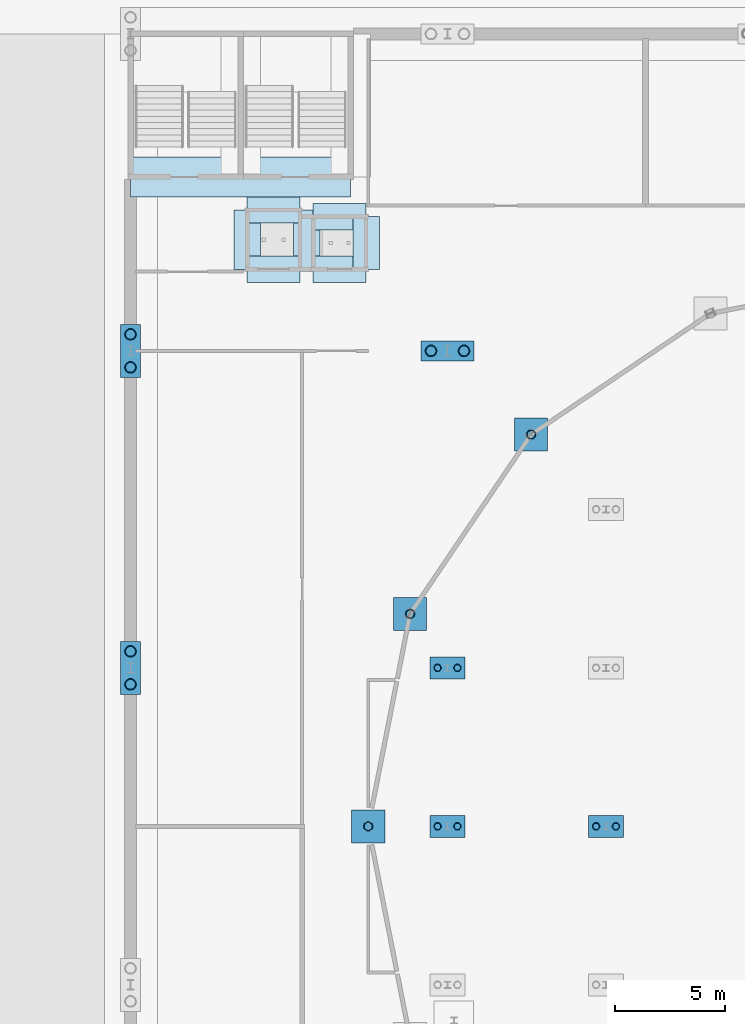
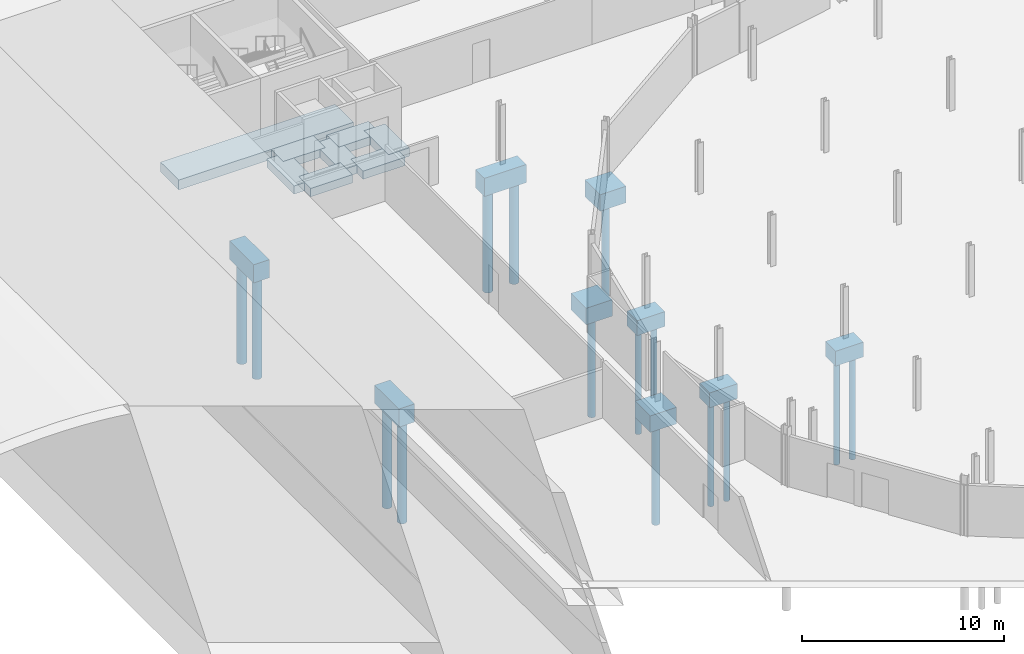
# One storey, part 9 of 148: 17 footings, 15 piles.
"""IFC4 building model written with IfcOpenShell, lengths in metres."""

from ifc_helpers import new_model, si_unit, direction, frame, origin, origin_2d, place, context, subcontext, project, spatial, rectangle, hollow_circle, extrude, material, layer, layer_set, material_profile, profile_set, type_object, element, save


model = new_model("IFC4")

# Units and contexts
model_context = context("Model", 3, precision=1e-05, world=origin(), true_north=direction((0.0, 1.0)))
body_context = subcontext(model_context, "Body", "Model", "MODEL_VIEW")
ifc_project = project(units=[si_unit("LENGTHUNIT", "METRE"), si_unit("AREAUNIT", "SQUARE_METRE"), si_unit("VOLUMEUNIT", "CUBIC_METRE"), si_unit("PLANEANGLEUNIT", "RADIAN"), si_unit("MASSUNIT", "GRAM", prefix="KILO")], contexts=[model_context])

# Site, building, storey
site_placement = place(None, origin())
site = spatial("IfcSite", under=ifc_project, at=site_placement, CompositionType="ELEMENT")
building_placement = place(site_placement, origin())
building = spatial("IfcBuilding", under=site, at=building_placement, Name="Kupolbacken Congress Centre", CompositionType="ELEMENT")
storey_placement = place(building_placement, origin())
storey = spatial("IfcBuildingStorey", under=building, at=storey_placement, Name="L00", CompositionType="ELEMENT", Elevation=0.0)

# Footings
ifc_material_1 = material(Name="Concrete C30/37", Category="concrete")
ifc_layer_1 = layer(ifc_material_1, 1.10009765625)
ifc_layer_set_1 = layer_set([ifc_layer_1], Name="Concrete C30/37")
footing_type_1 = type_object("IfcFootingType", Name="PC2 pile cap 2.40 x 0.90 x 1.10 m", PredefinedType="PILE_CAP", material=ifc_layer_set_1)
for number, where, z_axis, x_axis, name in (
    (1, (7.199951171875, 93.60009765625, -1.400146484375), (0.0, 0.0, 1.0), (1.0, 0.0, 0.0), "S/fnd/C-P-2P/cap"),
    (2, (7.199951171875, 108.0, -1.400146484375), (0.0, 0.0, 1.0), (1.0, 0.0, 0.0), "S/fnd/C-P-2R/cap"),
):
    element("IfcFooting", number, at=place(storey_placement, frame(where, z_axis=z_axis, x_axis=x_axis)), inside=storey, type_object=footing_type_1, Name=name, PredefinedType="PILE_CAP", context=body_context, shape_type="SweptSolid", body=[
        extrude(rectangle(XDim=0.89990234375, YDim=2.39990234375, at=origin_2d()), origin(), (0.0, 0.0, 1.0), 1.10009765625),
    ])
footing_1_placement = place(storey_placement, frame((21.60009765625, 108.0, -1.400146484375), z_axis=(0.0, 0.0, 1.0), x_axis=(1.0, 0.0, 0.0)))
element("IfcFooting", 3, at=footing_1_placement, inside=storey, type_object=footing_type_1, Name="S/fnd/C-P-4R/cap", PredefinedType="PILE_CAP", context=body_context, shape_type="SweptSolid", body=[
    extrude(rectangle(XDim=2.39990234375, YDim=0.89990234375, at=origin_2d()), origin(), (0.0, 0.0, 1.0), 1.10009765625),
])
ifc_material_2 = material(Name="Concrete C30/37", Category="concrete")
ifc_layer_2 = layer(ifc_material_2, 0.89990234375)
ifc_layer_set_2 = layer_set([ifc_layer_2], Name="Concrete C30/37")
footing_type_2 = type_object("IfcFootingType", Name="PC7 pile cap 1.60 x 1.00 x 0.90 m", PredefinedType="PILE_CAP", material=ifc_layer_set_2)
for number, where, z_axis, x_axis, name in (
    (4, (21.60009765625, 86.39990234375, -1.199951171875), (0.0, 0.0, 1.0), (1.0, 0.0, 0.0), "S/fnd/C-PL-216-864/cap"),
    (5, (21.60009765625, 93.60009765625, -1.199951171875), (0.0, 0.0, 1.0), (1.0, 0.0, 0.0), "S/fnd/C-PL-216-936/cap"),
    (6, (28.800048828125, 86.39990234375, -1.199951171875), (0.0, 0.0, 1.0), (1.0, 0.0, 0.0), "S/fnd/C-PL-288-864/cap"),
):
    element("IfcFooting", number, at=place(storey_placement, frame(where, z_axis=z_axis, x_axis=x_axis)), inside=storey, type_object=footing_type_2, Name=name, PredefinedType="PILE_CAP", context=body_context, shape_type="SweptSolid", body=[
        extrude(rectangle(XDim=1.60009765625, YDim=1.0, at=origin_2d()), origin(), (0.0, 0.0, 1.0), 0.89990234375),
    ])
ifc_material_3 = material(Name="Concrete C30/37", Category="concrete")
ifc_layer_3 = layer(ifc_material_3, 1.0)
ifc_layer_set_3 = layer_set([ifc_layer_3], Name="Concrete C30/37")
footing_type_3 = type_object("IfcFootingType", Name="PC8 pile cap 1.50 x 1.50 x 1.00 m", PredefinedType="PILE_CAP", material=ifc_layer_set_3)
for number, where, z_axis, x_axis, name in (
    (7, (25.39990234375, 104.199951171875, -1.300048828125), (0.0, 0.0, 1.0), (1.0, 0.0, 0.0), "S/fnd/C-D07/cap"),
    (8, (19.89990234375, 96.050048828125, -1.300048828125), (0.0, 0.0, 1.0), (1.0, 0.0, 0.0), "S/fnd/C-D08/cap"),
    (9, (18.0, 86.39990234375, -1.300048828125), (0.0, 0.0, 1.0), (1.0, 0.0, 0.0), "S/fnd/C-D09/cap"),
):
    element("IfcFooting", number, at=place(storey_placement, frame(where, z_axis=z_axis, x_axis=x_axis)), inside=storey, type_object=footing_type_3, Name=name, PredefinedType="PILE_CAP", context=body_context, shape_type="SweptSolid", body=[
        extrude(rectangle(XDim=1.5, YDim=1.5, at=origin_2d()), origin(), (0.0, 0.0, 1.0), 1.0),
    ])

# Piles
ifc_material_4 = material(Name="Steel S355", Category="steel")
ifc_material_profile_1 = material_profile(ifc_material_4, hollow_circle(Radius=0.161865234375, WallThickness=0.012451171875, at=origin_2d()), Name="CHS 323.9 x 12.5")
ifc_profile_set_1 = profile_set([ifc_material_profile_1], Name="Steel S355")
pile_type_1 = type_object("IfcPileType", Name="PL1 steel tube pile CHS 323.9 x 12.5", PredefinedType="BORED", material=ifc_profile_set_1)
for number, where, z_axis, x_axis, name in (
    (10, (21.14990234375, 86.39990234375, -1.199951171875), (0.0, 0.0, -1.0), (1.0, 0.0, 0.0), "S/fnd/C-PL-216-864/pile1"),
    (11, (22.050048828125, 86.39990234375, -1.199951171875), (0.0, 0.0, -1.0), (1.0, 0.0, 0.0), "S/fnd/C-PL-216-864/pile2"),
    (12, (21.14990234375, 93.60009765625, -1.199951171875), (0.0, 0.0, -1.0), (1.0, 0.0, 0.0), "S/fnd/C-PL-216-936/pile1"),
    (13, (22.050048828125, 93.60009765625, -1.199951171875), (0.0, 0.0, -1.0), (1.0, 0.0, 0.0), "S/fnd/C-PL-216-936/pile2"),
    (14, (28.35009765625, 86.39990234375, -1.199951171875), (0.0, 0.0, -1.0), (1.0, 0.0, 0.0), "S/fnd/C-PL-288-864/pile1"),
    (15, (29.25, 86.39990234375, -1.199951171875), (0.0, 0.0, -1.0), (1.0, 0.0, 0.0), "S/fnd/C-PL-288-864/pile2"),
):
    element("IfcPile", number, at=place(storey_placement, frame(where, z_axis=z_axis, x_axis=x_axis)), inside=storey, type_object=pile_type_1, Name=name, PredefinedType="BORED", context=body_context, shape_type="SweptSolid", body=[
        extrude(hollow_circle(Radius=0.161865234375, WallThickness=0.012451171875, at=origin_2d()), origin(), (0.0, 0.0, 1.0), 6.300048828125),
    ])
ifc_material_5 = material(Name="Steel S355", Category="steel")
ifc_material_profile_2 = material_profile(ifc_material_5, hollow_circle(Radius=0.203125, WallThickness=0.01611328125, at=origin_2d()), Name="CHS 406.4 x 16")
ifc_profile_set_2 = profile_set([ifc_material_profile_2], Name="Steel S355")
pile_type_2 = type_object("IfcPileType", Name="PL2 steel tube pile CHS 406.4 x 16", PredefinedType="BORED", material=ifc_profile_set_2)
for number, where, z_axis, x_axis, name in (
    (16, (25.39990234375, 104.199951171875, -1.300048828125), (0.0, 0.0, -1.0), (1.0, 0.0, 0.0), "S/fnd/C-D07/pile1"),
    (17, (19.89990234375, 96.050048828125, -1.300048828125), (0.0, 0.0, -1.0), (1.0, 0.0, 0.0), "S/fnd/C-D08/pile1"),
    (18, (18.0, 86.39990234375, -1.300048828125), (0.0, 0.0, -1.0), (1.0, 0.0, 0.0), "S/fnd/C-D09/pile1"),
):
    element("IfcPile", number, at=place(storey_placement, frame(where, z_axis=z_axis, x_axis=x_axis)), inside=storey, type_object=pile_type_2, Name=name, PredefinedType="BORED", context=body_context, shape_type="SweptSolid", body=[
        extrude(hollow_circle(Radius=0.203125, WallThickness=0.01611328125, at=origin_2d()), origin(), (0.0, 0.0, 1.0), 6.199951171875),
    ])
ifc_material_6 = material(Name="Steel S355", Category="steel")
ifc_material_profile_3 = material_profile(ifc_material_6, hollow_circle(Radius=0.25390625, WallThickness=0.02001953125, at=origin_2d()), Name="CHS 508 x 20")
ifc_profile_set_3 = profile_set([ifc_material_profile_3], Name="Steel S355")
pile_type_3 = type_object("IfcPileType", Name="PL3 steel tube pile CHS 508 x 20", PredefinedType="BORED", material=ifc_profile_set_3)
for number, where, z_axis, x_axis, name in (
    (19, (7.199951171875, 92.85009765625, -1.39990234375), (0.0, 0.0, -1.0), (1.0, 0.0, 0.0), "S/fnd/C-P-2P/pile1"),
    (20, (7.199951171875, 94.35009765625, -1.39990234375), (0.0, 0.0, -1.0), (1.0, 0.0, 0.0), "S/fnd/C-P-2P/pile2"),
    (21, (7.199951171875, 107.25, -1.39990234375), (0.0, 0.0, -1.0), (1.0, 0.0, 0.0), "S/fnd/C-P-2R/pile1"),
    (22, (7.199951171875, 108.75, -1.39990234375), (0.0, 0.0, -1.0), (1.0, 0.0, 0.0), "S/fnd/C-P-2R/pile2"),
    (23, (20.85009765625, 108.0, -1.39990234375), (0.0, 0.0, -1.0), (1.0, 0.0, 0.0), "S/fnd/C-P-4R/pile1"),
    (24, (22.35009765625, 108.0, -1.39990234375), (0.0, 0.0, -1.0), (1.0, 0.0, 0.0), "S/fnd/C-P-4R/pile2"),
):
    element("IfcPile", number, at=place(storey_placement, frame(where, z_axis=z_axis, x_axis=x_axis)), inside=storey, type_object=pile_type_3, Name=name, PredefinedType="BORED", context=body_context, shape_type="SweptSolid", body=[
        extrude(hollow_circle(Radius=0.25390625, WallThickness=0.02001953125, at=origin_2d()), origin(), (0.0, 0.0, 1.0), 6.10009765625),
    ])

# Footings
ifc_material_7 = material(Name="Concrete C30/37", Category="concrete")
ifc_layer_4 = layer(ifc_material_7, 0.5)
ifc_layer_set_4 = layer_set([ifc_layer_4], Name="Concrete C30/37")
footing_type_4 = type_object("IfcFootingType", Name="SF1 strip footing 1.20 x 0.50 m", PredefinedType="STRIP_FOOTING", material=ifc_layer_set_4)
for number, where, z_axis, x_axis, name in (
    (25, (16.699951171875, 111.699951171875, -0.800048828125), (0.0, 0.0, 1.0), (1.0, 0.0, 0.0), "S/fnd/lift/025"),
    (26, (17.89990234375, 112.89990234375, -0.800048828125), (0.0, 0.0, 1.0), (0.0, 1.0, 0.0), "S/fnd/lift/026"),
    (27, (16.699951171875, 114.10009765625, -0.800048828125), (0.0, 0.0, 1.0), (1.0, 0.0, 0.0), "S/fnd/lift/027"),
):
    element("IfcFooting", number, at=place(storey_placement, frame(where, z_axis=z_axis, x_axis=x_axis)), inside=storey, type_object=footing_type_4, Name=name, PredefinedType="STRIP_FOOTING", context=body_context, shape_type="SweptSolid", body=[
        extrude(rectangle(XDim=2.39990234375, YDim=1.199951171875, at=origin_2d()), origin(), (0.0, 0.0, 1.0), 0.5),
    ])
footing_2_placement = place(storey_placement, frame((15.199951171875, 113.050048828125, -0.800048828125), z_axis=(0.0, 0.0, 1.0), x_axis=(0.0, 1.0, 0.0)))
element("IfcFooting", 28, at=footing_2_placement, inside=storey, type_object=footing_type_4, Name="S/fnd/lift/028", PredefinedType="STRIP_FOOTING", context=body_context, shape_type="SweptSolid", body=[
    extrude(rectangle(XDim=2.699951171875, YDim=1.199951171875, at=origin_2d()), origin(), (0.0, 0.0, 1.0), 0.5),
])
for number, where, z_axis, x_axis, name in (
    (29, (13.699951171875, 111.699951171875, -0.800048828125), (0.0, 0.0, 1.0), (1.0, 0.0, 0.0), "S/fnd/lift/029"),
    (30, (13.699951171875, 114.39990234375, -0.800048828125), (0.0, 0.0, 1.0), (1.0, 0.0, 0.0), "S/fnd/lift/031"),
):
    element("IfcFooting", number, at=place(storey_placement, frame(where, z_axis=z_axis, x_axis=x_axis)), inside=storey, type_object=footing_type_4, Name=name, PredefinedType="STRIP_FOOTING", context=body_context, shape_type="SweptSolid", body=[
        extrude(rectangle(XDim=2.39990234375, YDim=1.199951171875, at=origin_2d()), origin(), (0.0, 0.0, 1.0), 0.5),
    ])
footing_3_placement = place(storey_placement, frame((12.5, 113.050048828125, -0.800048828125), z_axis=(0.0, 0.0, 1.0), x_axis=(0.0, 1.0, 0.0)))
element("IfcFooting", 31, at=footing_3_placement, inside=storey, type_object=footing_type_4, Name="S/fnd/lift/032", PredefinedType="STRIP_FOOTING", context=body_context, shape_type="SweptSolid", body=[
    extrude(rectangle(XDim=2.699951171875, YDim=1.199951171875, at=origin_2d()), origin(), (0.0, 0.0, 1.0), 0.5),
])
ifc_material_8 = material(Name="Concrete C30/37", Category="concrete")
ifc_layer_5 = layer(ifc_material_8, 0.60009765625)
ifc_layer_set_5 = layer_set([ifc_layer_5], Name="Concrete C30/37")
footing_type_5 = type_object("IfcFootingType", Name="SF2 strip footing 1.80 x 0.60 m", PredefinedType="STRIP_FOOTING", material=ifc_layer_set_5)
footing_4_placement = place(storey_placement, frame((12.199951171875, 115.89990234375, -0.900146484375), z_axis=(0.0, 0.0, 1.0), x_axis=(1.0, 0.0, 0.0)))
element("IfcFooting", 32, at=footing_4_placement, inside=storey, type_object=footing_type_5, Name="S/fnd/core/064", PredefinedType="STRIP_FOOTING", context=body_context, shape_type="SweptSolid", body=[
    extrude(rectangle(XDim=10.0, YDim=1.800048828125, at=origin_2d()), origin(), (0.0, 0.0, 1.0), 0.60009765625),
])

save(model, "model.ifc")
